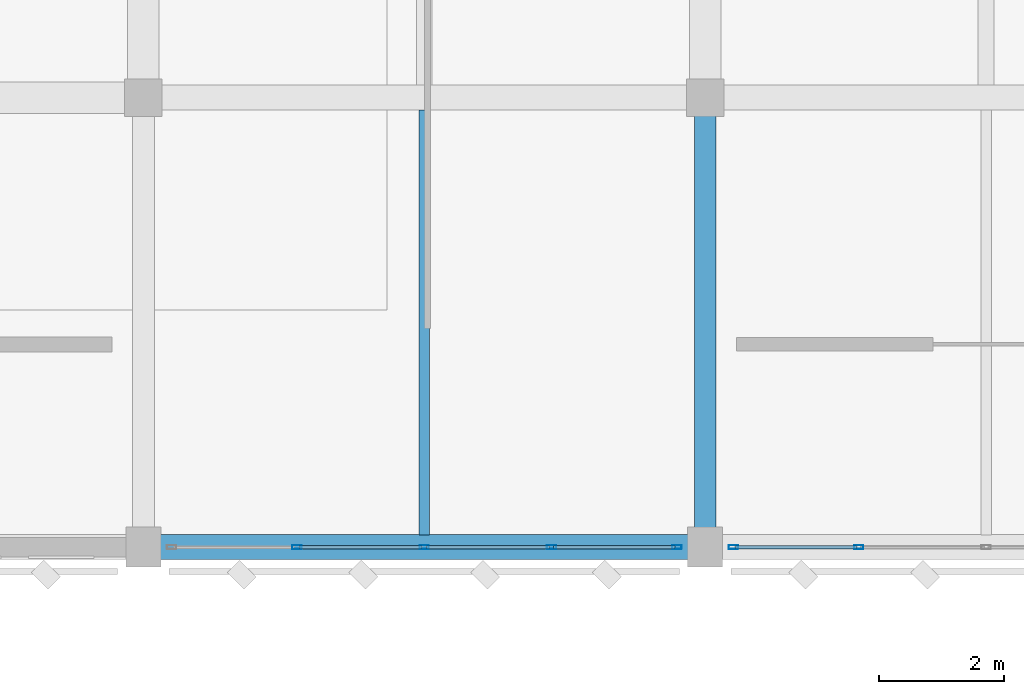
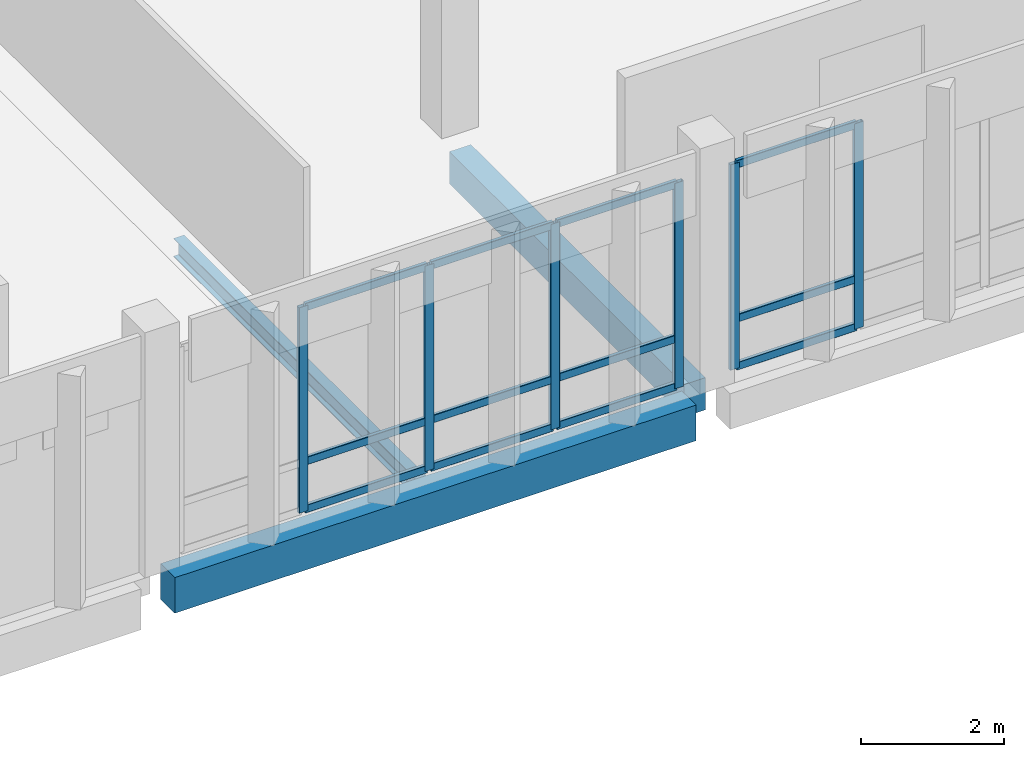
# One storey, part 59 of 158: 18 members, 3 beams, 2 elements without a shape of their own.
"""IFC4 building model written with IfcOpenShell, lengths in metres."""

from ifc_helpers import new_model, si_unit, direction, frame, origin, origin_2d, place, context, subcontext, project, spatial, rectangle, hollow_rectangle, i_section, extrude, material, material_profile, profile_set, type_object, element, aggregate, save


model = new_model("IFC4")

# Units and contexts
model_context = context("Model", 3, precision=1e-05, world=origin(), true_north=direction((0.0, 1.0)))
body_context = subcontext(model_context, "Body", "Model", "MODEL_VIEW")
ifc_project = project(units=[si_unit("LENGTHUNIT", "METRE"), si_unit("AREAUNIT", "SQUARE_METRE"), si_unit("VOLUMEUNIT", "CUBIC_METRE"), si_unit("PLANEANGLEUNIT", "RADIAN"), si_unit("MASSUNIT", "GRAM", prefix="KILO")], contexts=[model_context])

# Site, building, storey
site_placement = place(None, origin())
site = spatial("IfcSite", under=ifc_project, at=site_placement, CompositionType="ELEMENT")
building_placement = place(site_placement, origin())
building = spatial("IfcBuilding", under=site, at=building_placement, Name="Lusvemor Sports Hall", CompositionType="ELEMENT")
storey_placement = place(building_placement, frame((0.0, 0.0, 10.800048828125)))
storey = spatial("IfcBuildingStorey", under=building, at=storey_placement, Name="L02", CompositionType="ELEMENT", Elevation=10.800048828125)

# Beam
ifc_material_1 = material(Name="Concrete C40/50", Category="concrete")
ifc_material_profile_1 = material_profile(ifc_material_1, rectangle(XDim=0.35009765625, YDim=0.550048828125, at=origin_2d()), Name="RC350x550")
ifc_profile_set_1 = profile_set([ifc_material_profile_1], Name="Concrete C40/50")
beam_type_1 = type_object("IfcBeamType", Name="BEAM_RC_550", PredefinedType="BEAM", material=ifc_profile_set_1)
beam_1_placement = place(storey_placement, frame((84.60009765625, 97.51611328125, -0.53515625), z_axis=(0.0, 1.0, 0.0), x_axis=(-1.0, 0.0, 0.0)))
element("IfcBeam", 1, at=beam_1_placement, inside=storey, type_object=beam_type_1, Name="Beam L02 9:N-P", PredefinedType="BEAM", context=body_context, shape_type="SweptSolid", body=[
    extrude(rectangle(XDim=0.35009765625, YDim=0.550048828125, at=origin_2d()), origin(), (0.0, 0.0, 1.0), 6.587890625),
])

# Curtain wall, members
ifc_material_2 = material(Name="Thermally broken bronze-anodized aluminium", Category="aluminium")
curtain_wall_type = type_object("IfcCurtainWallType", Name="CW_WING_B", PredefinedType="NOTDEFINED", material=ifc_material_2)
curtain_wall_1_placement = place(storey_placement, origin())
curtain_wall_1 = element("IfcCurtainWall", 2, at=curtain_wall_1_placement, inside=storey, type_object=curtain_wall_type, Name="Curtain Wall CW-L02-S-3-5", PredefinedType="NOTDEFINED")
ifc_material_3 = material(Name="Thermally broken bronze-anodized aluminium", Category="aluminium")
ifc_material_profile_2 = material_profile(ifc_material_3, hollow_rectangle(XDim=0.06494140625, YDim=0.14990234375, WallThickness=0.00390625, InnerFilletRadius=0.00390625, OuterFilletRadius=0.008056640625, at=origin_2d()), Name="CWMUL150x65x4")
ifc_profile_set_2 = profile_set([ifc_material_profile_2], Name="Thermally broken bronze-anodized aluminium")
member_type_1 = type_object("IfcMemberType", Name="CW_MUL_B", PredefinedType="MULLION", material=ifc_profile_set_2)
member_1_placement = place(storey_placement, frame((84.1474609375, 97.199951171875, 0.0), z_axis=(0.0, 0.0, 1.0), x_axis=(0.0, -1.0, 0.0)))
member_1 = element("IfcMember", 3, at=member_1_placement, type_object=member_type_1, Name="CW02 mullion 1", PredefinedType="MULLION", context=body_context, shape_type="SweptSolid", body=[
    extrude(hollow_rectangle(XDim=0.06494140625, YDim=0.14990234375, WallThickness=0.00390625, InnerFilletRadius=0.00390625, OuterFilletRadius=0.008056640625, at=origin_2d()), origin(), (0.0, 0.0, 1.0), 3.52001953125),
])
member_2_placement = place(storey_placement, frame((82.139892578125, 97.199951171875, 0.0), z_axis=(0.0, 0.0, 1.0), x_axis=(0.0, -1.0, 0.0)))
member_2 = element("IfcMember", 4, at=member_2_placement, type_object=member_type_1, Name="CW02 mullion 2", PredefinedType="MULLION", context=body_context, shape_type="SweptSolid", body=[
    extrude(hollow_rectangle(XDim=0.06494140625, YDim=0.14990234375, WallThickness=0.00390625, InnerFilletRadius=0.00390625, OuterFilletRadius=0.008056640625, at=origin_2d()), origin(), (0.0, 0.0, 1.0), 3.52001953125),
])
member_3_placement = place(storey_placement, frame((80.10009765625, 97.199951171875, 0.0), z_axis=(0.0, 0.0, 1.0), x_axis=(0.0, -1.0, 0.0)))
member_3 = element("IfcMember", 5, at=member_3_placement, type_object=member_type_1, Name="CW02 mullion 3", PredefinedType="MULLION", context=body_context, shape_type="SweptSolid", body=[
    extrude(hollow_rectangle(XDim=0.06494140625, YDim=0.14990234375, WallThickness=0.00390625, InnerFilletRadius=0.00390625, OuterFilletRadius=0.008056640625, at=origin_2d()), origin(), (0.0, 0.0, 1.0), 3.52001953125),
])
member_4_placement = place(storey_placement, frame((78.06005859375, 97.199951171875, 0.0), z_axis=(0.0, 0.0, 1.0), x_axis=(0.0, -1.0, 0.0)))
member_4 = element("IfcMember", 6, at=member_4_placement, type_object=member_type_1, Name="CW02 mullion 4", PredefinedType="MULLION", context=body_context, shape_type="SweptSolid", body=[
    extrude(hollow_rectangle(XDim=0.06494140625, YDim=0.14990234375, WallThickness=0.00390625, InnerFilletRadius=0.00390625, OuterFilletRadius=0.008056640625, at=origin_2d()), origin(), (0.0, 0.0, 1.0), 3.52001953125),
])

curtain_wall_2_placement = place(storey_placement, origin())
curtain_wall_2 = element("IfcCurtainWall", 7, at=curtain_wall_2_placement, inside=storey, type_object=curtain_wall_type, Name="Curtain Wall CW-L02-S-3-6", PredefinedType="NOTDEFINED")
member_5_placement = place(storey_placement, frame((87.06005859375, 97.199951171875, 0.0), z_axis=(0.0, 0.0, 1.0), x_axis=(0.0, -1.0, 0.0)))
member_5 = element("IfcMember", 8, at=member_5_placement, type_object=member_type_1, Name="CW02 mullion 4", PredefinedType="MULLION", context=body_context, shape_type="SweptSolid", body=[
    extrude(hollow_rectangle(XDim=0.06494140625, YDim=0.14990234375, WallThickness=0.00390625, InnerFilletRadius=0.00390625, OuterFilletRadius=0.008056640625, at=origin_2d()), origin(), (0.0, 0.0, 1.0), 3.52001953125),
])
member_6_placement = place(storey_placement, frame((85.052490234375, 97.199951171875, 0.0), z_axis=(0.0, 0.0, 1.0), x_axis=(0.0, -1.0, 0.0)))
member_6 = element("IfcMember", 9, at=member_6_placement, type_object=member_type_1, Name="CW02 mullion 5", PredefinedType="MULLION", context=body_context, shape_type="SweptSolid", body=[
    extrude(hollow_rectangle(XDim=0.06494140625, YDim=0.14990234375, WallThickness=0.00390625, InnerFilletRadius=0.00390625, OuterFilletRadius=0.008056640625, at=origin_2d()), origin(), (0.0, 0.0, 1.0), 3.52001953125),
])

# Member
ifc_material_4 = material(Name="Thermally broken bronze-anodized aluminium", Category="aluminium")
ifc_material_profile_3 = material_profile(ifc_material_4, hollow_rectangle(XDim=0.06005859375, YDim=0.135009765625, WallThickness=0.00390625, InnerFilletRadius=0.00390625, OuterFilletRadius=0.008056640625, at=origin_2d()), Name="CWTRN135x60x4")
ifc_profile_set_3 = profile_set([ifc_material_profile_3], Name="Thermally broken bronze-anodized aluminium")
member_type_2 = type_object("IfcMemberType", Name="CW_TRN_B", PredefinedType="USERDEFINED", material=ifc_profile_set_3)
member_7_placement = place(storey_placement, frame((84.114990234375, 97.199951171875, 0.030029296875), z_axis=(-1.0, 0.0, 0.0), x_axis=(0.0, -1.0, 0.0)))
member_7 = element("IfcMember", 10, at=member_7_placement, type_object=member_type_2, Name="CW02 transom 1.1", ObjectType="TRANSOM", PredefinedType="USERDEFINED", context=body_context, shape_type="SweptSolid", body=[
    extrude(hollow_rectangle(XDim=0.06005859375, YDim=0.135009765625, WallThickness=0.00390625, InnerFilletRadius=0.00390625, OuterFilletRadius=0.008056640625, at=origin_2d()), origin(), (0.0, 0.0, 1.0), 1.9423828125),
])

member_8_placement = place(storey_placement, frame((84.114990234375, 97.199951171875, 0.849853515625), z_axis=(-1.0, 0.0, 0.0), x_axis=(0.0, -1.0, 0.0)))
member_8 = element("IfcMember", 11, at=member_8_placement, type_object=member_type_2, Name="CW02 transom 1.2", ObjectType="TRANSOM", PredefinedType="USERDEFINED", context=body_context, shape_type="SweptSolid", body=[
    extrude(hollow_rectangle(XDim=0.06005859375, YDim=0.135009765625, WallThickness=0.00390625, InnerFilletRadius=0.00390625, OuterFilletRadius=0.008056640625, at=origin_2d()), origin(), (0.0, 0.0, 1.0), 1.9423828125),
])

member_9_placement = place(storey_placement, frame((84.114990234375, 97.199951171875, 3.489990234375), z_axis=(-1.0, 0.0, 0.0), x_axis=(0.0, -1.0, 0.0)))
member_9 = element("IfcMember", 12, at=member_9_placement, type_object=member_type_2, Name="CW02 transom 1.3", ObjectType="TRANSOM", PredefinedType="USERDEFINED", context=body_context, shape_type="SweptSolid", body=[
    extrude(hollow_rectangle(XDim=0.06005859375, YDim=0.135009765625, WallThickness=0.00390625, InnerFilletRadius=0.00390625, OuterFilletRadius=0.008056640625, at=origin_2d()), origin(), (0.0, 0.0, 1.0), 1.9423828125),
])

member_10_placement = place(storey_placement, frame((82.107421875, 97.199951171875, 0.030029296875), z_axis=(-1.0, 0.0, 0.0), x_axis=(0.0, -1.0, 0.0)))
member_10 = element("IfcMember", 13, at=member_10_placement, type_object=member_type_2, Name="CW02 transom 2.1", ObjectType="TRANSOM", PredefinedType="USERDEFINED", context=body_context, shape_type="SweptSolid", body=[
    extrude(hollow_rectangle(XDim=0.06005859375, YDim=0.135009765625, WallThickness=0.00390625, InnerFilletRadius=0.00390625, OuterFilletRadius=0.008056640625, at=origin_2d()), origin(), (0.0, 0.0, 1.0), 1.974853515625),
])

member_11_placement = place(storey_placement, frame((82.107421875, 97.199951171875, 0.849853515625), z_axis=(-1.0, 0.0, 0.0), x_axis=(0.0, -1.0, 0.0)))
member_11 = element("IfcMember", 14, at=member_11_placement, type_object=member_type_2, Name="CW02 transom 2.2", ObjectType="TRANSOM", PredefinedType="USERDEFINED", context=body_context, shape_type="SweptSolid", body=[
    extrude(hollow_rectangle(XDim=0.06005859375, YDim=0.135009765625, WallThickness=0.00390625, InnerFilletRadius=0.00390625, OuterFilletRadius=0.008056640625, at=origin_2d()), origin(), (0.0, 0.0, 1.0), 1.974853515625),
])

member_12_placement = place(storey_placement, frame((82.107421875, 97.199951171875, 3.489990234375), z_axis=(-1.0, 0.0, 0.0), x_axis=(0.0, -1.0, 0.0)))
member_12 = element("IfcMember", 15, at=member_12_placement, type_object=member_type_2, Name="CW02 transom 2.3", ObjectType="TRANSOM", PredefinedType="USERDEFINED", context=body_context, shape_type="SweptSolid", body=[
    extrude(hollow_rectangle(XDim=0.06005859375, YDim=0.135009765625, WallThickness=0.00390625, InnerFilletRadius=0.00390625, OuterFilletRadius=0.008056640625, at=origin_2d()), origin(), (0.0, 0.0, 1.0), 1.974853515625),
])

member_13_placement = place(storey_placement, frame((80.0673828125, 97.199951171875, 0.030029296875), z_axis=(-1.0, 0.0, 0.0), x_axis=(0.0, -1.0, 0.0)))
member_13 = element("IfcMember", 16, at=member_13_placement, type_object=member_type_2, Name="CW02 transom 3.1", ObjectType="TRANSOM", PredefinedType="USERDEFINED", context=body_context, shape_type="SweptSolid", body=[
    extrude(hollow_rectangle(XDim=0.06005859375, YDim=0.135009765625, WallThickness=0.00390625, InnerFilletRadius=0.00390625, OuterFilletRadius=0.008056640625, at=origin_2d()), origin(), (0.0, 0.0, 1.0), 1.974853515625),
])

member_14_placement = place(storey_placement, frame((80.0673828125, 97.199951171875, 0.849853515625), z_axis=(-1.0, 0.0, 0.0), x_axis=(0.0, -1.0, 0.0)))
member_14 = element("IfcMember", 17, at=member_14_placement, type_object=member_type_2, Name="CW02 transom 3.2", ObjectType="TRANSOM", PredefinedType="USERDEFINED", context=body_context, shape_type="SweptSolid", body=[
    extrude(hollow_rectangle(XDim=0.06005859375, YDim=0.135009765625, WallThickness=0.00390625, InnerFilletRadius=0.00390625, OuterFilletRadius=0.008056640625, at=origin_2d()), origin(), (0.0, 0.0, 1.0), 1.974853515625),
])

member_15_placement = place(storey_placement, frame((80.0673828125, 97.199951171875, 3.489990234375), z_axis=(-1.0, 0.0, 0.0), x_axis=(0.0, -1.0, 0.0)))
member_15 = element("IfcMember", 18, at=member_15_placement, type_object=member_type_2, Name="CW02 transom 3.3", ObjectType="TRANSOM", PredefinedType="USERDEFINED", context=body_context, shape_type="SweptSolid", body=[
    extrude(hollow_rectangle(XDim=0.06005859375, YDim=0.135009765625, WallThickness=0.00390625, InnerFilletRadius=0.00390625, OuterFilletRadius=0.008056640625, at=origin_2d()), origin(), (0.0, 0.0, 1.0), 1.974853515625),
])

aggregate(curtain_wall_1, [member_1, member_2, member_3, member_4, member_7, member_8, member_9, member_10, member_11, member_12, member_13, member_14, member_15])

member_16_placement = place(storey_placement, frame((87.027587890625, 97.199951171875, 0.030029296875), z_axis=(-1.0, 0.0, 0.0), x_axis=(0.0, -1.0, 0.0)))
member_16 = element("IfcMember", 19, at=member_16_placement, type_object=member_type_2, Name="CW02 transom 4.1", ObjectType="TRANSOM", PredefinedType="USERDEFINED", context=body_context, shape_type="SweptSolid", body=[
    extrude(hollow_rectangle(XDim=0.06005859375, YDim=0.135009765625, WallThickness=0.00390625, InnerFilletRadius=0.00390625, OuterFilletRadius=0.008056640625, at=origin_2d()), origin(), (0.0, 0.0, 1.0), 1.942626953125),
])

member_17_placement = place(storey_placement, frame((87.027587890625, 97.199951171875, 0.849853515625), z_axis=(-1.0, 0.0, 0.0), x_axis=(0.0, -1.0, 0.0)))
member_17 = element("IfcMember", 20, at=member_17_placement, type_object=member_type_2, Name="CW02 transom 4.2", ObjectType="TRANSOM", PredefinedType="USERDEFINED", context=body_context, shape_type="SweptSolid", body=[
    extrude(hollow_rectangle(XDim=0.06005859375, YDim=0.135009765625, WallThickness=0.00390625, InnerFilletRadius=0.00390625, OuterFilletRadius=0.008056640625, at=origin_2d()), origin(), (0.0, 0.0, 1.0), 1.942626953125),
])

member_18_placement = place(storey_placement, frame((87.027587890625, 97.199951171875, 3.489990234375), z_axis=(-1.0, 0.0, 0.0), x_axis=(0.0, -1.0, 0.0)))
member_18 = element("IfcMember", 21, at=member_18_placement, type_object=member_type_2, Name="CW02 transom 4.3", ObjectType="TRANSOM", PredefinedType="USERDEFINED", context=body_context, shape_type="SweptSolid", body=[
    extrude(hollow_rectangle(XDim=0.06005859375, YDim=0.135009765625, WallThickness=0.00390625, InnerFilletRadius=0.00390625, OuterFilletRadius=0.008056640625, at=origin_2d()), origin(), (0.0, 0.0, 1.0), 1.942626953125),
])

aggregate(curtain_wall_2, [member_5, member_6, member_16, member_17, member_18])

# Beams
ifc_material_5 = material(Name="Steel S355", Category="steel")
ifc_material_profile_4 = material_profile(ifc_material_5, i_section(OverallWidth=0.1669921875, OverallDepth=0.31689453125, WebThickness=0.007568359375, FlangeThickness=0.01318359375, FilletRadius=0.014892578125, at=origin_2d()), Name="W310x52.0")
ifc_profile_set_4 = profile_set([ifc_material_profile_4], Name="Steel S355")
beam_type_2 = type_object("IfcBeamType", Name="JOIST_ST_310M", PredefinedType="JOIST", material=ifc_profile_set_4)
beam_2_placement = place(storey_placement, frame((80.10009765625, 97.39599609375, -0.422607421875), z_axis=(0.0, 1.0, 0.0), x_axis=(-1.0, 0.0, 0.0)))
element("IfcBeam", 22, at=beam_2_placement, inside=storey, type_object=beam_type_2, Name="Secondary Joist L02 8-9/N-P #1", PredefinedType="JOIST", context=body_context, shape_type="SweptSolid", body=[
    extrude(i_section(OverallWidth=0.1669921875, OverallDepth=0.31689453125, WebThickness=0.007568359375, FlangeThickness=0.01318359375, FilletRadius=0.014892578125, at=origin_2d()), origin(), (0.0, 0.0, 1.0), 6.80810546875),
])
ifc_material_6 = material(Name="Concrete C40/50", Category="concrete")
ifc_material_profile_5 = material_profile(ifc_material_6, rectangle(XDim=0.39990234375, YDim=0.610107421875, at=origin_2d()), Name="RC400x610")
ifc_profile_set_5 = profile_set([ifc_material_profile_5], Name="Concrete C40/50")
beam_type_3 = type_object("IfcBeamType", Name="SPAND_EXT_650", PredefinedType="SPANDREL", material=ifc_profile_set_5)
beam_3_placement = place(storey_placement, frame((75.8759765625, 97.199951171875, -0.56494140625), z_axis=(1.0, 0.0, 0.0), x_axis=(0.0, 1.0, 0.0)))
element("IfcBeam", 23, at=beam_3_placement, inside=storey, type_object=beam_type_3, Name="Beam L02 N:8-9", PredefinedType="SPANDREL", context=body_context, shape_type="SweptSolid", body=[
    extrude(rectangle(XDim=0.39990234375, YDim=0.610107421875, at=origin_2d()), origin(), (0.0, 0.0, 1.0), 8.447998046875),
])

save(model, "model.ifc")
